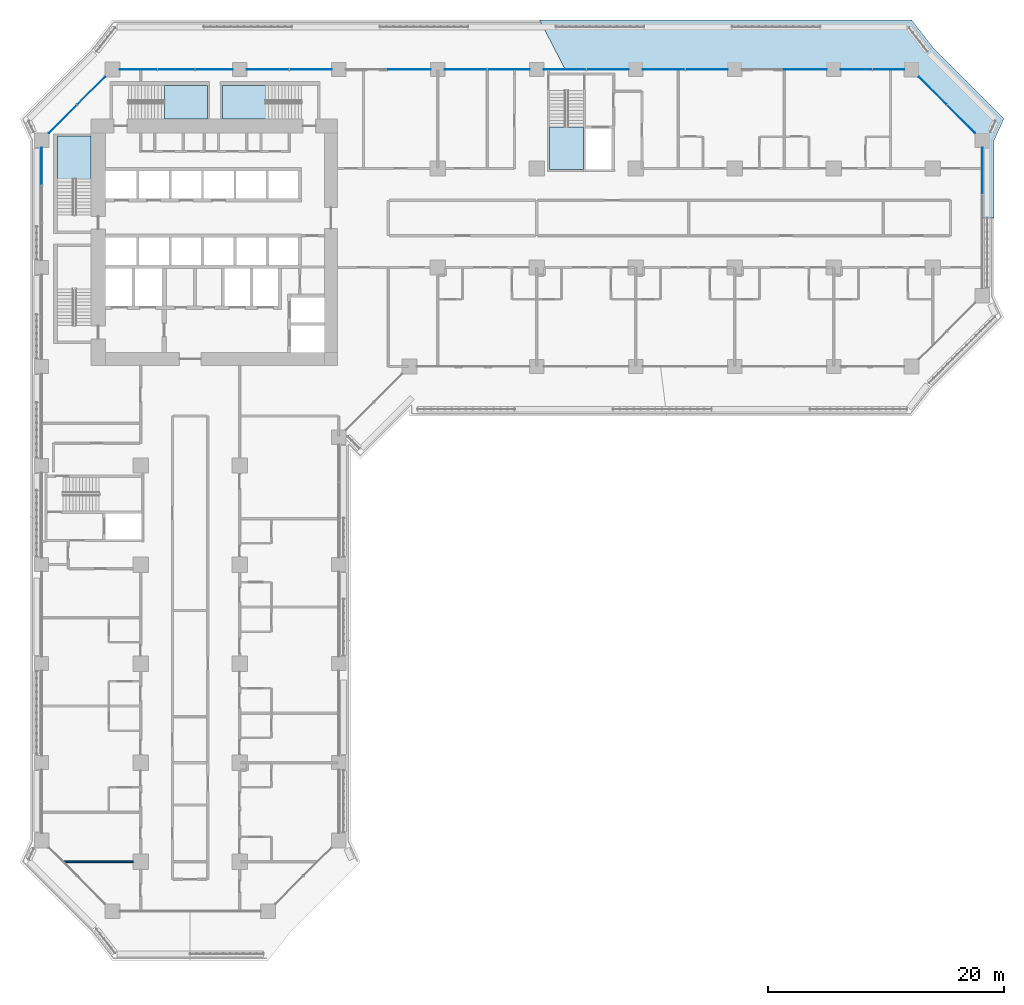
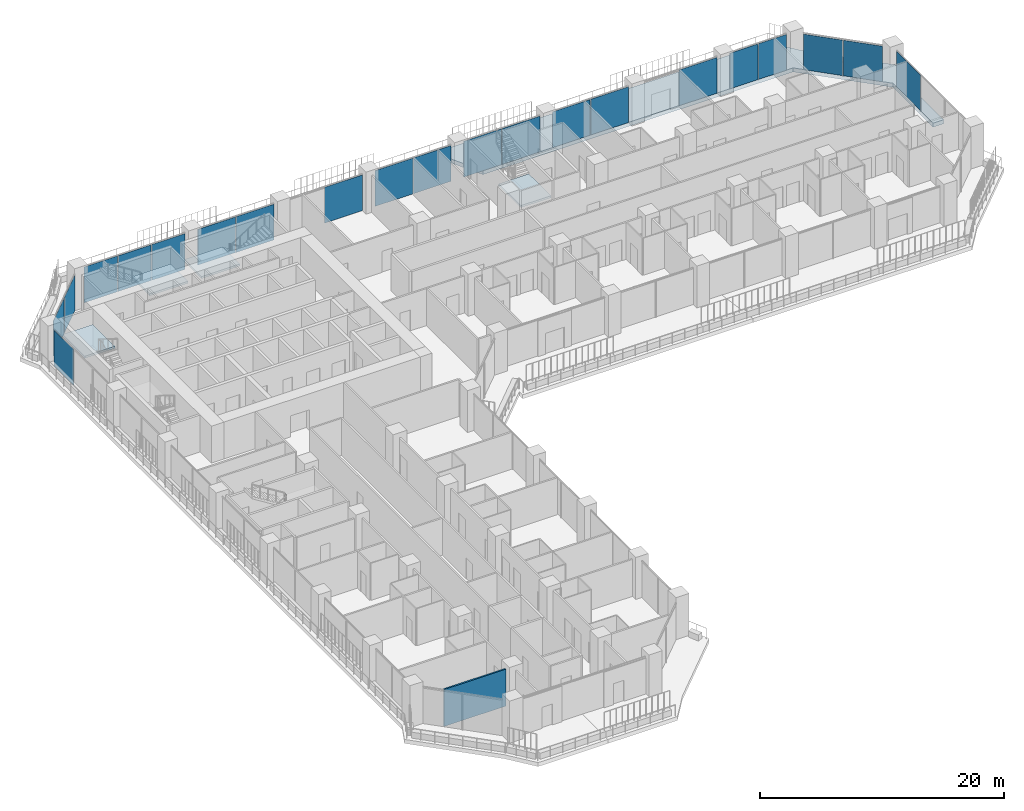
# One storey, part 11 of 28: 21 plates, 5 slabs, 1 wall, 9 elements without a shape of their own.
"""IFC4 building model written with IfcOpenShell, lengths in metres."""

from ifc_helpers import new_model, si_unit, direction, frame, frame_2d, origin, origin_2d, place, context, subcontext, project, spatial, polyline, rectangle, outline, extrude, material, layer, layer_set, type_object, element, aggregate, save


model = new_model("IFC4")

# Units and contexts
model_context = context("Model", 3, precision=1e-05, world=origin(), true_north=direction((0.0, 1.0)))
body_context = subcontext(model_context, "Body", "Model", "MODEL_VIEW")
ifc_project = project(units=[si_unit("LENGTHUNIT", "METRE"), si_unit("AREAUNIT", "SQUARE_METRE"), si_unit("VOLUMEUNIT", "CUBIC_METRE"), si_unit("PLANEANGLEUNIT", "RADIAN"), si_unit("MASSUNIT", "GRAM", prefix="KILO")], contexts=[model_context])

# Site, building, storey
site_placement = place(None, origin())
site = spatial("IfcSite", under=ifc_project, at=site_placement, CompositionType="ELEMENT")
building_placement = place(site_placement, origin())
building = spatial("IfcBuilding", under=site, at=building_placement, Name="Kawkab Arch Medical Tower", CompositionType="ELEMENT")
storey_placement = place(building_placement, frame((0.0, 0.0, 89.60009765625)))
storey = spatial("IfcBuildingStorey", under=building, at=storey_placement, Name="L20", CompositionType="ELEMENT", Elevation=89.60009765625)

# Curtain wall, plate
ifc_material_1 = material(Name="Bronze anodised aluminium curtain wall frame", Category="aluminium")
ifc_layer_1 = layer(ifc_material_1, 0.159912109375)
ifc_layer_set_1 = layer_set([ifc_layer_1], Name="Bronze anodised aluminium curtain wall frame")
curtain_wall_type_1 = type_object("IfcCurtainWallType", Name="CW1 ward curtain wall", PredefinedType="NOTDEFINED", material=ifc_layer_set_1)
placement_1 = place(storey_placement, origin())
curtain_wall_1 = element("IfcCurtainWall", 1, at=placement_1, inside=storey, type_object=curtain_wall_type_1, Name="CW1 Ward curtain wall R01", PredefinedType="NOTDEFINED")
ifc_material_2 = material(Name="Tinted insulating glass, bronze low-e coating", Category="glass")
ifc_layer_2 = layer(ifc_material_2, 0.031982421875)
ifc_layer_set_2 = layer_set([ifc_layer_2], Name="Tinted insulating glass, bronze low-e coating")
plate_type_1 = type_object("IfcPlateType", Name="CW1 glazing unit 32", PredefinedType="CURTAIN_PANEL", material=ifc_layer_set_2)
plate_1_placement = place(storey_placement, frame((0.0, -8.205810546875, -0.000244140625), z_axis=(0.0, 0.0, 1.0), x_axis=(0.0, -1.0, 0.0)))
plate_1 = element("IfcPlate", 2, at=plate_1_placement, type_object=plate_type_1, Name="CW1 glazing unit 1.1", PredefinedType="CURTAIN_PANEL", context=body_context, shape_type="SweptSolid", body=[
    extrude(rectangle(XDim=3.16162109375, YDim=0.031982421875, at=origin_2d()), origin(), (0.0, 0.0, 1.0), 3.580078125),
])
aggregate(curtain_wall_1, [plate_1])

curtain_wall_2 = element("IfcCurtainWall", 3, at=placement_1, inside=storey, type_object=curtain_wall_type_1, Name="CW1 Ward curtain wall R09", PredefinedType="NOTDEFINED")
plate_2_placement = place(storey_placement, frame((79.800048828125, -8.6015625, -0.000244140625), z_axis=(0.0, 0.0, 1.0), x_axis=(0.0, 1.0, 0.0)))
plate_2 = element("IfcPlate", 4, at=plate_2_placement, type_object=plate_type_1, Name="CW1 glazing unit 1.3", PredefinedType="CURTAIN_PANEL", context=body_context, shape_type="SweptSolid", body=[
    extrude(rectangle(XDim=3.953369140625, YDim=0.031982421875, at=origin_2d()), origin(), (0.0, 0.0, 1.0), 3.580078125),
])
aggregate(curtain_wall_2, [plate_2])

# Curtain wall, plates
curtain_wall_3 = element("IfcCurtainWall", 5, at=placement_1, inside=storey, type_object=curtain_wall_type_1, Name="CW1 Ward curtain wall R11", PredefinedType="NOTDEFINED")
plate_3_placement = place(storey_placement, frame((71.84619140625, 0.0, -0.000244140625), z_axis=(0.0, 0.0, 1.0), x_axis=(-1.0, 0.0, 0.0)))
plate_3 = element("IfcPlate", 6, at=plate_3_placement, type_object=plate_type_1, Name="CW1 glazing unit 1.1", PredefinedType="CURTAIN_PANEL", context=body_context, shape_type="SweptSolid", body=[
    extrude(rectangle(XDim=2.657470703125, YDim=0.031982421875, at=origin_2d()), origin(), (0.0, 0.0, 1.0), 3.580078125),
])
plate_4_placement = place(storey_placement, frame((69.128662109375, 0.0, -0.000244140625), z_axis=(0.0, 0.0, 1.0), x_axis=(-1.0, 0.0, 0.0)))
plate_4 = element("IfcPlate", 7, at=plate_4_placement, type_object=plate_type_1, Name="CW1 glazing unit 1.2", PredefinedType="CURTAIN_PANEL", context=body_context, shape_type="SweptSolid", body=[
    extrude(rectangle(XDim=2.657470703125, YDim=0.031982421875, at=origin_2d()), origin(), (0.0, 0.0, 1.0), 3.580078125),
])
plate_5_placement = place(storey_placement, frame((64.800048828125, 0.0, -0.000244140625), z_axis=(0.0, 0.0, 1.0), x_axis=(-1.0, 0.0, 0.0)))
plate_5 = element("IfcPlate", 8, at=plate_5_placement, type_object=plate_type_1, Name="CW1 glazing unit 2.1", PredefinedType="CURTAIN_PANEL", context=body_context, shape_type="SweptSolid", body=[
    extrude(rectangle(XDim=3.60009765625, YDim=0.031982421875, at=origin_2d()), origin(), (0.0, 0.0, 1.0), 3.580078125),
])
plate_6_placement = place(storey_placement, frame((56.4150390625, 0.0, -0.000244140625), z_axis=(0.0, 0.0, 1.0), x_axis=(-1.0, 0.0, 0.0)))
plate_6 = element("IfcPlate", 9, at=plate_6_placement, type_object=plate_type_1, Name="CW1 glazing unit 3.1", PredefinedType="CURTAIN_PANEL", context=body_context, shape_type="SweptSolid", body=[
    extrude(rectangle(XDim=3.570068359375, YDim=0.031982421875, at=origin_2d()), origin(), (0.0, 0.0, 1.0), 3.580078125),
])
plate_7_placement = place(storey_placement, frame((52.784912109375, 0.0, -0.000244140625), z_axis=(0.0, 0.0, 1.0), x_axis=(-1.0, 0.0, 0.0)))
plate_7 = element("IfcPlate", 10, at=plate_7_placement, type_object=plate_type_1, Name="CW1 glazing unit 3.2", PredefinedType="CURTAIN_PANEL", context=body_context, shape_type="SweptSolid", body=[
    extrude(rectangle(XDim=3.570068359375, YDim=0.031982421875, at=origin_2d()), origin(), (0.0, 0.0, 1.0), 3.580078125),
])
plate_8_placement = place(storey_placement, frame((48.014892578125, 0.0, -0.000244140625), z_axis=(0.0, 0.0, 1.0), x_axis=(-1.0, 0.0, 0.0)))
plate_8 = element("IfcPlate", 11, at=plate_8_placement, type_object=plate_type_1, Name="CW1 glazing unit 4.1", PredefinedType="CURTAIN_PANEL", context=body_context, shape_type="SweptSolid", body=[
    extrude(rectangle(XDim=3.570068359375, YDim=0.031982421875, at=origin_2d()), origin(), (0.0, 0.0, 1.0), 3.580078125),
])
plate_9_placement = place(storey_placement, frame((44.385009765625, 0.0, -0.000244140625), z_axis=(0.0, 0.0, 1.0), x_axis=(-1.0, 0.0, 0.0)))
plate_9 = element("IfcPlate", 12, at=plate_9_placement, type_object=plate_type_1, Name="CW1 glazing unit 4.2", PredefinedType="CURTAIN_PANEL", context=body_context, shape_type="SweptSolid", body=[
    extrude(rectangle(XDim=3.570068359375, YDim=0.031982421875, at=origin_2d()), origin(), (0.0, 0.0, 1.0), 3.580078125),
])
plate_10_placement = place(storey_placement, frame((39.614990234375, 0.0, -0.000244140625), z_axis=(0.0, 0.0, 1.0), x_axis=(-1.0, 0.0, 0.0)))
plate_10 = element("IfcPlate", 13, at=plate_10_placement, type_object=plate_type_1, Name="CW1 glazing unit 5.1", PredefinedType="CURTAIN_PANEL", context=body_context, shape_type="SweptSolid", body=[
    extrude(rectangle(XDim=3.570068359375, YDim=0.031982421875, at=origin_2d()), origin(), (0.0, 0.0, 1.0), 3.580078125),
])
plate_11_placement = place(storey_placement, frame((35.985107421875, 0.0, -0.000244140625), z_axis=(0.0, 0.0, 1.0), x_axis=(-1.0, 0.0, 0.0)))
plate_11 = element("IfcPlate", 14, at=plate_11_placement, type_object=plate_type_1, Name="CW1 glazing unit 5.2", PredefinedType="CURTAIN_PANEL", context=body_context, shape_type="SweptSolid", body=[
    extrude(rectangle(XDim=3.570068359375, YDim=0.031982421875, at=origin_2d()), origin(), (0.0, 0.0, 1.0), 3.580078125),
])
plate_12_placement = place(storey_placement, frame((31.199951171875, 0.0, -0.000244140625), z_axis=(0.0, 0.0, 1.0), x_axis=(-1.0, 0.0, 0.0)))
plate_12 = element("IfcPlate", 15, at=plate_12_placement, type_object=plate_type_1, Name="CW1 glazing unit 6.1", PredefinedType="CURTAIN_PANEL", context=body_context, shape_type="SweptSolid", body=[
    extrude(rectangle(XDim=3.60009765625, YDim=0.031982421875, at=origin_2d()), origin(), (0.0, 0.0, 1.0), 3.580078125),
])
plate_13_placement = place(storey_placement, frame((22.81494140625, 0.0, -0.000244140625), z_axis=(0.0, 0.0, 1.0), x_axis=(-1.0, 0.0, 0.0)))
plate_13 = element("IfcPlate", 16, at=plate_13_placement, type_object=plate_type_1, Name="CW1 glazing unit 7.1", PredefinedType="CURTAIN_PANEL", context=body_context, shape_type="SweptSolid", body=[
    extrude(rectangle(XDim=3.570068359375, YDim=0.031982421875, at=origin_2d()), origin(), (0.0, 0.0, 1.0), 3.580078125),
])
plate_14_placement = place(storey_placement, frame((19.18505859375, 0.0, -0.000244140625), z_axis=(0.0, 0.0, 1.0), x_axis=(-1.0, 0.0, 0.0)))
plate_14 = element("IfcPlate", 17, at=plate_14_placement, type_object=plate_type_1, Name="CW1 glazing unit 7.2", PredefinedType="CURTAIN_PANEL", context=body_context, shape_type="SweptSolid", body=[
    extrude(rectangle(XDim=3.570068359375, YDim=0.031982421875, at=origin_2d()), origin(), (0.0, 0.0, 1.0), 3.580078125),
])
plate_15_placement = place(storey_placement, frame((14.619140625, 0.0, -0.000244140625), z_axis=(0.0, 0.0, 1.0), x_axis=(-1.0, 0.0, 0.0)))
plate_15 = element("IfcPlate", 18, at=plate_15_placement, type_object=plate_type_1, Name="CW1 glazing unit 8.1", PredefinedType="CURTAIN_PANEL", context=body_context, shape_type="SweptSolid", body=[
    extrude(rectangle(XDim=3.16162109375, YDim=0.031982421875, at=origin_2d()), origin(), (0.0, 0.0, 1.0), 3.580078125),
])
plate_16_placement = place(storey_placement, frame((11.41259765625, 0.0, -0.000244140625), z_axis=(0.0, 0.0, 1.0), x_axis=(-1.0, 0.0, 0.0)))
plate_16 = element("IfcPlate", 19, at=plate_16_placement, type_object=plate_type_1, Name="CW1 glazing unit 8.2", PredefinedType="CURTAIN_PANEL", context=body_context, shape_type="SweptSolid", body=[
    extrude(rectangle(XDim=3.131591796875, YDim=0.031982421875, at=origin_2d()), origin(), (0.0, 0.0, 1.0), 3.580078125),
])
plate_17_placement = place(storey_placement, frame((8.205810546875, 0.0, -0.000244140625), z_axis=(0.0, 0.0, 1.0), x_axis=(-1.0, 0.0, 0.0)))
plate_17 = element("IfcPlate", 20, at=plate_17_placement, type_object=plate_type_1, Name="CW1 glazing unit 8.3", PredefinedType="CURTAIN_PANEL", context=body_context, shape_type="SweptSolid", body=[
    extrude(rectangle(XDim=3.16162109375, YDim=0.031982421875, at=origin_2d()), origin(), (0.0, 0.0, 1.0), 3.580078125),
])
aggregate(curtain_wall_3, [plate_3, plate_4, plate_5, plate_6, plate_7, plate_8, plate_9, plate_10, plate_11, plate_12, plate_13, plate_14, plate_15, plate_16, plate_17])

ifc_material_3 = material(Name="Bronze anodised aluminium curtain wall frame", Category="aluminium")
ifc_layer_3 = layer(ifc_material_3, 0.159912109375)
ifc_layer_set_3 = layer_set([ifc_layer_3], Name="Bronze anodised aluminium curtain wall frame")
curtain_wall_type_2 = type_object("IfcCurtainWallType", Name="CW2 chamfer curtain wall", PredefinedType="NOTDEFINED", material=ifc_layer_set_3)
curtain_wall_4 = element("IfcCurtainWall", 21, at=placement_1, inside=storey, type_object=curtain_wall_type_2, Name="CW2 Chamfer curtain wall R10", PredefinedType="NOTDEFINED")
ifc_material_4 = material(Name="Tinted insulating glass, bronze low-e coating", Category="glass")
ifc_layer_4 = layer(ifc_material_4, 0.031982421875)
ifc_layer_set_4 = layer_set([ifc_layer_4], Name="Tinted insulating glass, bronze low-e coating")
plate_type_2 = type_object("IfcPlateType", Name="CW2 glazing unit 32", PredefinedType="CURTAIN_PANEL", material=ifc_layer_set_4)
plate_18_placement = place(storey_placement, frame((77.998046875, -4.197998046875, -0.000244140625), z_axis=(0.0, 0.0, 1.0), x_axis=(-0.707106781187, 0.707106781187, 0.0)))
plate_18 = element("IfcPlate", 22, at=plate_18_placement, type_object=plate_type_2, Name="CW2 glazing unit 1.1", PredefinedType="CURTAIN_PANEL", context=body_context, shape_type="SweptSolid", body=[
    extrude(rectangle(XDim=3.328857421875, YDim=0.031982421875, at=origin_2d()), origin(), (0.0, 0.0, 1.0), 3.56005859375),
])
plate_19_placement = place(storey_placement, frame((75.601806640625, -1.802001953125, -0.000244140625), z_axis=(0.0, 0.0, 1.0), x_axis=(-0.707106781187, 0.707106781187, 0.0)))
plate_19 = element("IfcPlate", 23, at=plate_19_placement, type_object=plate_type_2, Name="CW2 glazing unit 1.2", PredefinedType="CURTAIN_PANEL", context=body_context, shape_type="SweptSolid", body=[
    extrude(rectangle(XDim=3.328857421875, YDim=0.031982421875, at=origin_2d()), origin(), (0.0, 0.0, 1.0), 3.56005859375),
])
aggregate(curtain_wall_4, [plate_18, plate_19])

curtain_wall_5 = element("IfcCurtainWall", 24, at=placement_1, inside=storey, type_object=curtain_wall_type_2, Name="CW2 Chamfer curtain wall R12", PredefinedType="NOTDEFINED")
plate_20_placement = place(storey_placement, frame((4.197998046875, -1.802001953125, -0.000244140625), z_axis=(0.0, 0.0, 1.0), x_axis=(-0.707106781187, -0.707106781187, 0.0)))
plate_20 = element("IfcPlate", 25, at=plate_20_placement, type_object=plate_type_2, Name="CW2 glazing unit 1.1", PredefinedType="CURTAIN_PANEL", context=body_context, shape_type="SweptSolid", body=[
    extrude(rectangle(XDim=3.328857421875, YDim=0.031982421875, at=origin_2d()), origin(), (0.0, 0.0, 1.0), 3.56005859375),
])
plate_21_placement = place(storey_placement, frame((1.802001953125, -4.197998046875, -0.000244140625), z_axis=(0.0, 0.0, 1.0), x_axis=(-0.707106781187, -0.707106781187, 0.0)))
plate_21 = element("IfcPlate", 26, at=plate_21_placement, type_object=plate_type_2, Name="CW2 glazing unit 1.2", PredefinedType="CURTAIN_PANEL", context=body_context, shape_type="SweptSolid", body=[
    extrude(rectangle(XDim=3.328857421875, YDim=0.031982421875, at=origin_2d()), origin(), (0.0, 0.0, 1.0), 3.56005859375),
])
aggregate(curtain_wall_5, [plate_20, plate_21])

# Stair, slab
ifc_material_5 = material(Name="Concrete C40/50", Category="concrete")
stair_type = type_object("IfcStairType", Name="Exit stair 1350", PredefinedType="HALF_TURN_STAIR", material=ifc_material_5)
stair_1 = element("IfcStair", 27, at=placement_1, inside=storey, type_object=stair_type, Name="L20 Exit stair ST1", PredefinedType="HALF_TURN_STAIR")
ifc_material_6 = material(Name="Concrete C40/50", Category="concrete")
ifc_layer_5 = layer(ifc_material_6, 0.199951171875)
ifc_layer_set_5 = layer_set([ifc_layer_5], Name="Concrete C40/50")
slab_type_1 = type_object("IfcSlabType", Name="Exit stair landing 200", PredefinedType="LANDING", material=ifc_layer_set_5)
placement_2 = place(storey_placement, frame((0.0, 0.0, 1.89990234375)))
slab_1 = element("IfcSlab", 28, at=placement_2, type_object=slab_type_1, Name="ST1 landing 1", PredefinedType="LANDING", context=body_context, shape_type="SweptSolid", body=[
    extrude(outline(polyline([(4.199951171875, -9.27001953125), (4.199951171875, -5.64990234375), (1.35009765625, -5.64990234375), (1.35009765625, -9.27001953125), (4.199951171875, -9.27001953125)])), origin(), (0.0, 0.0, 1.0), 0.199951171875),
])
aggregate(stair_1, [slab_1])

stair_2 = element("IfcStair", 29, at=placement_1, inside=storey, type_object=stair_type, Name="L20 Exit stair ST3", PredefinedType="HALF_TURN_STAIR")
slab_2 = element("IfcSlab", 30, at=placement_2, type_object=slab_type_1, Name="ST3 landing 1", PredefinedType="LANDING", context=body_context, shape_type="SweptSolid", body=[
    extrude(outline(polyline([(10.429931640625, -4.199951171875), (14.050048828125, -4.199951171875), (14.050048828125, -1.35009765625), (10.429931640625, -1.35009765625), (10.429931640625, -4.199951171875)])), origin(), (0.0, 0.0, 1.0), 0.199951171875),
])
aggregate(stair_2, [slab_2])

stair_3 = element("IfcStair", 31, at=placement_1, inside=storey, type_object=stair_type, Name="L20 Exit stair ST4", PredefinedType="HALF_TURN_STAIR")
slab_3 = element("IfcSlab", 32, at=placement_2, type_object=slab_type_1, Name="ST4 landing 1", PredefinedType="LANDING", context=body_context, shape_type="SweptSolid", body=[
    extrude(outline(polyline([(18.969970703125, -1.35009765625), (15.35009765625, -1.35009765625), (15.35009765625, -4.199951171875), (18.969970703125, -4.199951171875), (18.969970703125, -1.35009765625)])), origin(), (0.0, 0.0, 1.0), 0.199951171875),
])
aggregate(stair_3, [slab_3])

stair_4 = element("IfcStair", 33, at=placement_1, inside=storey, type_object=stair_type, Name="L20 Exit stair ST5", PredefinedType="HALF_TURN_STAIR")
slab_4 = element("IfcSlab", 34, at=placement_2, type_object=slab_type_1, Name="ST5 landing 1", PredefinedType="LANDING", context=body_context, shape_type="SweptSolid", body=[
    extrude(outline(polyline([(43.10009765625, -4.8798828125), (43.10009765625, -8.5), (45.949951171875, -8.5), (45.949951171875, -4.8798828125), (43.10009765625, -4.8798828125)])), origin(), (0.0, 0.0, 1.0), 0.199951171875),
])
aggregate(stair_4, [slab_4])

# Slab
ifc_material_7 = material(Name="Concrete C40/50", Category="concrete")
ifc_layer_6 = layer(ifc_material_7, 0.39990234375)
ifc_layer_set_6 = layer_set([ifc_layer_6], Name="Concrete C40/50")
slab_type_2 = type_object("IfcSlabType", Name="Loggia slab 400", PredefinedType="FLOOR", material=ifc_layer_set_6)
slab_5_placement = place(storey_placement, frame((0.0, 0.0, -0.400146484375)))
element("IfcSlab", 35, at=slab_5_placement, inside=storey, type_object=slab_type_2, Name="Loggia slab L20.6", PredefinedType="FLOOR", context=body_context, shape_type="SweptSolid", body=[
    extrude(outline(polyline([(75.637939453125, 1.837890625), (81.637939453125, -4.162109375), (80.800048828125, -6.0), (80.800048828125, -12.60009765625), (79.800048828125, -12.60009765625), (79.800048828125, -6.0), (73.800048828125, 0.0), (73.800048828125, 0.0009765625), (44.410888671875, 0.0009765625), (42.23388671875, 4.199951171875), (73.800048828125, 4.199951171875), (75.637939453125, 1.837890625)])), origin(), (0.0, 0.0, 1.0), 0.400146484375),
])

# Wall
ifc_material_8 = material(Name="Gypsum board partition on steel studs, mineral wool", Category="steel")
ifc_layer_7 = layer(ifc_material_8, 0.14990234375)
ifc_layer_set_7 = layer_set([ifc_layer_7], Name="Gypsum board partition on steel studs, mineral wool")
wall_type = type_object("IfcWallType", Name="Partition 150", PredefinedType="PARTITIONING", material=ifc_layer_set_7)
wall_placement = place(storey_placement, frame((1.9130859375, -67.199951171875, 0.0), z_axis=(0.0, 0.0, 1.0), x_axis=(1.0, 0.0, 0.0)))
element("IfcWall", 36, at=wall_placement, inside=storey, type_object=wall_type, Name="Partition 150 w044", PredefinedType="PARTITIONING", context=body_context, shape_type="SweptSolid", body=[
    extrude(rectangle(XDim=5.8369140625, YDim=0.14990234375, at=frame_2d((2.91845703125, 0.0))), origin(), (0.0, 0.0, 1.0), 3.699951171875),
])

save(model, "model.ifc")
